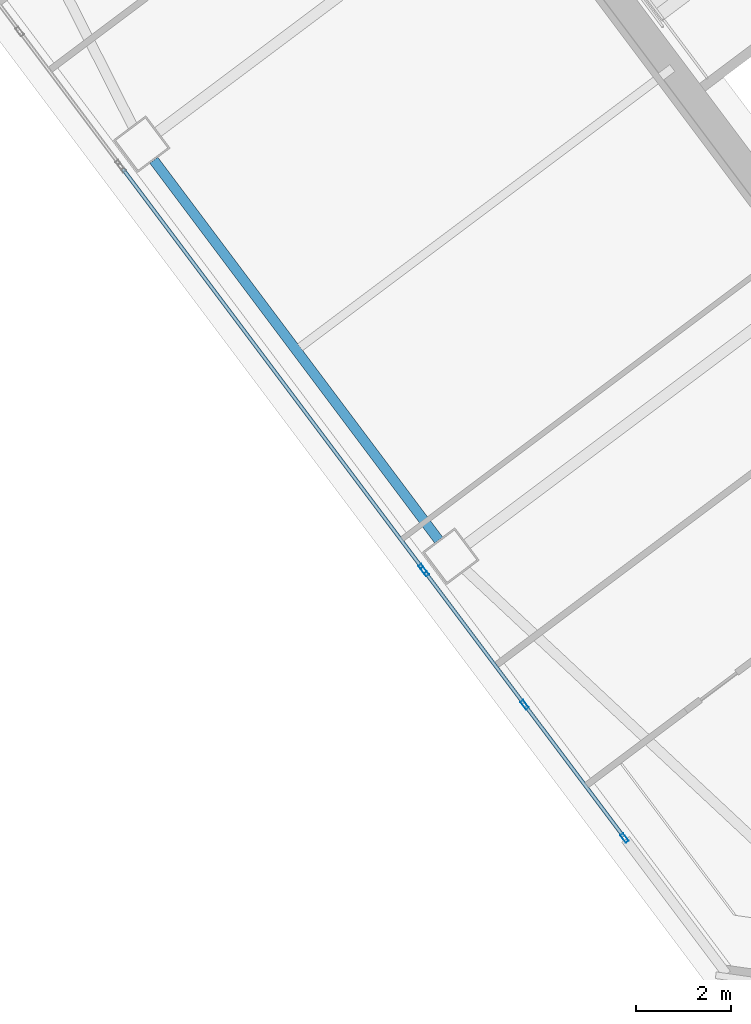
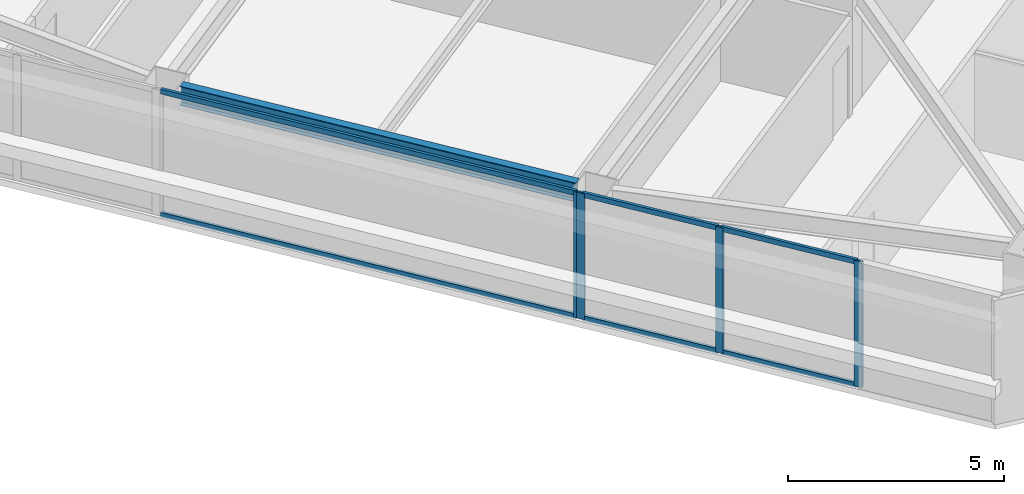
# One storey, part 17 of 44: 10 members, 1 beam, 2 elements without a shape of their own.
"""IFC4 building model written with IfcOpenShell, lengths in metres."""

from ifc_helpers import new_model, si_unit, direction, frame, origin, origin_2d, place, context, subcontext, project, spatial, hollow_rectangle, i_section, extrude, material, material_profile, profile_set, type_object, element, aggregate, save


model = new_model("IFC4")

# Units and contexts
model_context = context("Model", 3, precision=1e-05, world=origin(), true_north=direction((0.0, 1.0)))
body_context = subcontext(model_context, "Body", "Model", "MODEL_VIEW")
ifc_project = project(units=[si_unit("LENGTHUNIT", "METRE"), si_unit("AREAUNIT", "SQUARE_METRE"), si_unit("VOLUMEUNIT", "CUBIC_METRE"), si_unit("PLANEANGLEUNIT", "RADIAN"), si_unit("MASSUNIT", "GRAM", prefix="KILO")], contexts=[model_context])

# Site, building, storey
site_placement = place(None, origin())
site = spatial("IfcSite", under=ifc_project, at=site_placement, CompositionType="ELEMENT")
building_placement = place(site_placement, origin())
building = spatial("IfcBuilding", under=site, at=building_placement, Name="Tashvorn Skyway Center", CompositionType="ELEMENT")
storey_placement = place(building_placement, frame((0.0, 0.0, 149.89990234375)))
storey = spatial("IfcBuildingStorey", under=building, at=storey_placement, Name="L40", CompositionType="ELEMENT", Elevation=149.89990234375)

# Beam
ifc_material_1 = material(Name="Steel ASTM A992 Grade 50", Category="steel")
ifc_material_profile_1 = material_profile(ifc_material_1, i_section(OverallWidth=0.2109375, OverallDepth=0.5390625, WebThickness=0.01171875, FlangeThickness=0.018798828125, at=origin_2d()), Name="W21X73")
ifc_profile_set_1 = profile_set([ifc_material_profile_1], Name="Steel ASTM A992 Grade 50")
beam_type = type_object("IfcBeamType", Name="BM-SPANDREL-W21X73", PredefinedType="SPANDREL", material=ifc_profile_set_1)
beam_placement = place(storey_placement, frame((96.89208984375, 25.39404296875, 3.1005859375), z_axis=(0.599988234018, -0.800008824351, 0.0), x_axis=(0.800008824351, 0.599988234018, 0.0)))
element("IfcBeam", 1, at=beam_placement, inside=storey, type_object=beam_type, Name="Tower 2 L40 Spandrel Beam 11", PredefinedType="SPANDREL", context=body_context, shape_type="SweptSolid", body=[
    extrude(i_section(OverallWidth=0.2109375, OverallDepth=0.5390625, WebThickness=0.01171875, FlangeThickness=0.018798828125, at=origin_2d()), origin(), (0.0, 0.0, 1.0), 9.9599609375),
])

# Curtain wall, members
ifc_material_2 = material(Name="Thermally broken bronze-anodized aluminium 6063-T6", Category="aluminium")
curtain_wall_type = type_object("IfcCurtainWallType", Name="CW-CW-Z3", PredefinedType="NOTDEFINED", material=ifc_material_2)
curtain_wall_1_placement = place(storey_placement, origin())
curtain_wall_1 = element("IfcCurtainWall", 2, at=curtain_wall_1_placement, inside=storey, type_object=curtain_wall_type, Name="Tower 2 L40 West Unitised Curtain Wall Glazing Group 1", PredefinedType="NOTDEFINED")
ifc_material_profile_2 = material_profile(ifc_material_2, hollow_rectangle(XDim=0.074951171875, YDim=0.199951171875, WallThickness=0.00439453125, at=origin_2d()), Name="ALU-MULL-75x200")
ifc_profile_set_2 = profile_set([ifc_material_profile_2], Name="Thermally broken bronze-anodized aluminium 6063-T6")
member_type_1 = type_object("IfcMemberType", Name="CWM-CW-Z3", PredefinedType="MULLION", material=ifc_profile_set_2)
member_1_placement = place(storey_placement, frame((106.76416015625, 11.18115234375, 0.0), z_axis=(0.0, 0.0, 1.0), x_axis=(-0.799996599484, -0.600004533995, 0.0)))
member_1 = element("IfcMember", 3, at=member_1_placement, type_object=member_type_1, Name="CW-Z3 mullion 1", PredefinedType="MULLION", context=body_context, shape_type="SweptSolid", body=[
    extrude(hollow_rectangle(XDim=0.074951171875, YDim=0.199951171875, WallThickness=0.00439453125, at=origin_2d()), origin(), (0.0, 0.0, 1.0), 3.550048828125),
])
member_2_placement = place(storey_placement, frame((104.66943359375, 13.97412109375, 0.0), z_axis=(0.0, 0.0, 1.0), x_axis=(-0.799996599484, -0.600004533995, 0.0)))
member_2 = element("IfcMember", 4, at=member_2_placement, type_object=member_type_1, Name="CW-Z3 mullion 2", PredefinedType="MULLION", context=body_context, shape_type="SweptSolid", body=[
    extrude(hollow_rectangle(XDim=0.074951171875, YDim=0.199951171875, WallThickness=0.00439453125, at=origin_2d()), origin(), (0.0, 0.0, 1.0), 3.550048828125),
])
member_3_placement = place(storey_placement, frame((102.574462890625, 16.767333984375, 0.0), z_axis=(0.0, 0.0, 1.0), x_axis=(-0.799996599484, -0.600004533995, 0.0)))
member_3 = element("IfcMember", 5, at=member_3_placement, type_object=member_type_1, Name="CW-Z3 mullion 3", PredefinedType="MULLION", context=body_context, shape_type="SweptSolid", body=[
    extrude(hollow_rectangle(XDim=0.074951171875, YDim=0.199951171875, WallThickness=0.00439453125, at=origin_2d()), origin(), (0.0, 0.0, 1.0), 3.550048828125),
])

# Curtain wall, member
curtain_wall_2_placement = place(storey_placement, origin())
curtain_wall_2 = element("IfcCurtainWall", 6, at=curtain_wall_2_placement, inside=storey, type_object=curtain_wall_type, Name="Tower 2 L40 West Unitised Curtain Wall Glazing Group 2", PredefinedType="NOTDEFINED")
member_4_placement = place(storey_placement, frame((102.529541015625, 16.827392578125, 0.0), z_axis=(0.0, 0.0, 1.0), x_axis=(-0.800002266987, -0.599996977339, 0.0)))
member_4 = element("IfcMember", 7, at=member_4_placement, type_object=member_type_1, Name="CW-Z3 mullion 1", PredefinedType="MULLION", context=body_context, shape_type="SweptSolid", body=[
    extrude(hollow_rectangle(XDim=0.074951171875, YDim=0.199951171875, WallThickness=0.00439453125, at=origin_2d()), origin(), (0.0, 0.0, 1.0), 3.550048828125),
])

# Member
ifc_material_profile_3 = material_profile(ifc_material_2, hollow_rectangle(XDim=0.074951171875, YDim=0.139892578125, WallThickness=0.004150390625, at=origin_2d()), Name="ALU-TRAN-75x140")
ifc_profile_set_3 = profile_set([ifc_material_profile_3], Name="Thermally broken bronze-anodized aluminium 6063-T6")
member_type_2 = type_object("IfcMemberType", Name="CWT-CW-Z3", PredefinedType="USERDEFINED", material=ifc_profile_set_3)
member_5_placement = place(storey_placement, frame((106.74169921875, 11.211181640625, 0.03759765625), z_axis=(-0.600022868659, 0.799982847995, 0.0), x_axis=(-0.799982847995, -0.600022868659, 0.0)))
member_5 = element("IfcMember", 8, at=member_5_placement, type_object=member_type_2, Name="CW-Z3 transom 1.1", ObjectType="TRANSOM", PredefinedType="USERDEFINED", context=body_context, shape_type="SweptSolid", body=[
    extrude(hollow_rectangle(XDim=0.074951171875, YDim=0.139892578125, WallThickness=0.004150390625, at=origin_2d()), origin(), (0.0, 0.0, 1.0), 3.416259765625),
])

member_6_placement = place(storey_placement, frame((106.74169921875, 11.211181640625, 3.5126953125), z_axis=(-0.600022868659, 0.799982847995, 0.0), x_axis=(-0.799982847995, -0.600022868659, 0.0)))
member_6 = element("IfcMember", 9, at=member_6_placement, type_object=member_type_2, Name="CW-Z3 transom 1.2", ObjectType="TRANSOM", PredefinedType="USERDEFINED", context=body_context, shape_type="SweptSolid", body=[
    extrude(hollow_rectangle(XDim=0.074951171875, YDim=0.139892578125, WallThickness=0.004150390625, at=origin_2d()), origin(), (0.0, 0.0, 1.0), 3.416259765625),
])

member_7_placement = place(storey_placement, frame((104.646728515625, 14.004150390625, 0.03759765625), z_axis=(-0.59998856614, 0.800008575267, 0.0), x_axis=(-0.800008575267, -0.59998856614, 0.0)))
member_7 = element("IfcMember", 10, at=member_7_placement, type_object=member_type_2, Name="CW-Z3 transom 2.1", ObjectType="TRANSOM", PredefinedType="USERDEFINED", context=body_context, shape_type="SweptSolid", body=[
    extrude(hollow_rectangle(XDim=0.074951171875, YDim=0.139892578125, WallThickness=0.004150390625, at=origin_2d()), origin(), (0.0, 0.0, 1.0), 3.41650390625),
])

member_8_placement = place(storey_placement, frame((104.646728515625, 14.004150390625, 3.5126953125), z_axis=(-0.59998856614, 0.800008575267, 0.0), x_axis=(-0.800008575267, -0.59998856614, 0.0)))
member_8 = element("IfcMember", 11, at=member_8_placement, type_object=member_type_2, Name="CW-Z3 transom 2.2", ObjectType="TRANSOM", PredefinedType="USERDEFINED", context=body_context, shape_type="SweptSolid", body=[
    extrude(hollow_rectangle(XDim=0.074951171875, YDim=0.139892578125, WallThickness=0.004150390625, at=origin_2d()), origin(), (0.0, 0.0, 1.0), 3.41650390625),
])

aggregate(curtain_wall_1, [member_1, member_2, member_3, member_5, member_6, member_7, member_8])

member_9_placement = place(storey_placement, frame((102.507080078125, 16.857421875, 0.03759765625), z_axis=(-0.599996257181, 0.800002807101, 0.0), x_axis=(-0.800002807101, -0.599996257181, 0.0)))
member_9 = element("IfcMember", 12, at=member_9_placement, type_object=member_type_2, Name="CW-Z3 transom 1.1", ObjectType="TRANSOM", PredefinedType="USERDEFINED", context=body_context, shape_type="SweptSolid", body=[
    extrude(hollow_rectangle(XDim=0.074951171875, YDim=0.139892578125, WallThickness=0.004150390625, at=origin_2d()), origin(), (0.0, 0.0, 1.0), 10.436767578125),
])

member_10_placement = place(storey_placement, frame((102.507080078125, 16.857421875, 3.5126953125), z_axis=(-0.599996257181, 0.800002807101, 0.0), x_axis=(-0.800002807101, -0.599996257181, 0.0)))
member_10 = element("IfcMember", 13, at=member_10_placement, type_object=member_type_2, Name="CW-Z3 transom 1.2", ObjectType="TRANSOM", PredefinedType="USERDEFINED", context=body_context, shape_type="SweptSolid", body=[
    extrude(hollow_rectangle(XDim=0.074951171875, YDim=0.139892578125, WallThickness=0.004150390625, at=origin_2d()), origin(), (0.0, 0.0, 1.0), 10.436767578125),
])

aggregate(curtain_wall_2, [member_4, member_9, member_10])

save(model, "model.ifc")
